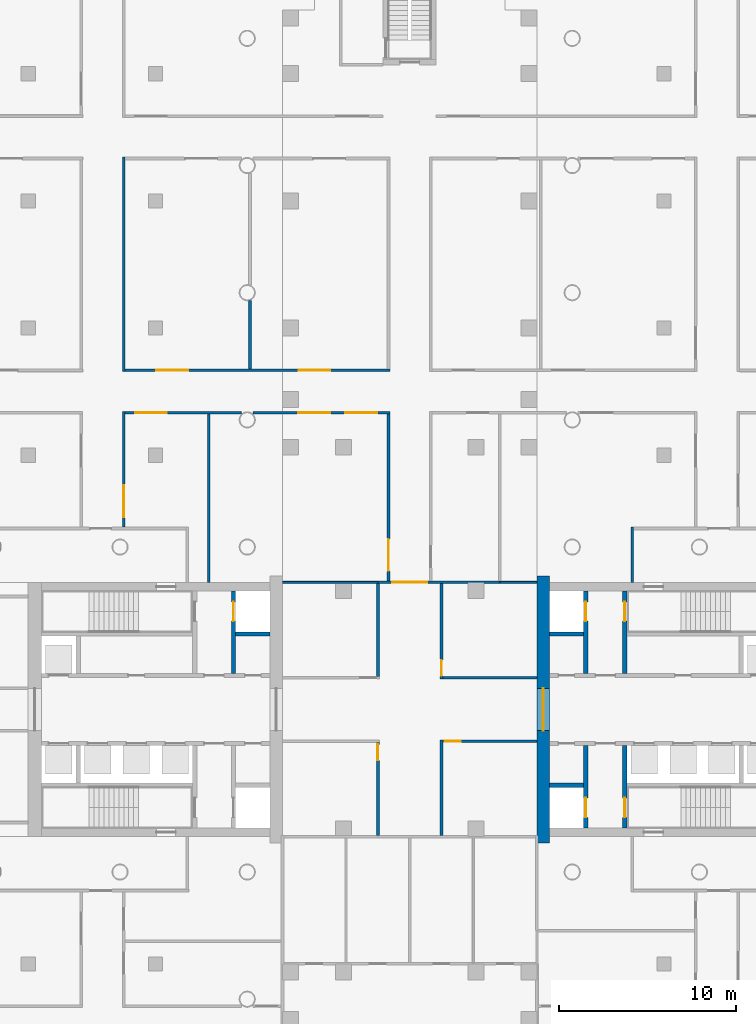
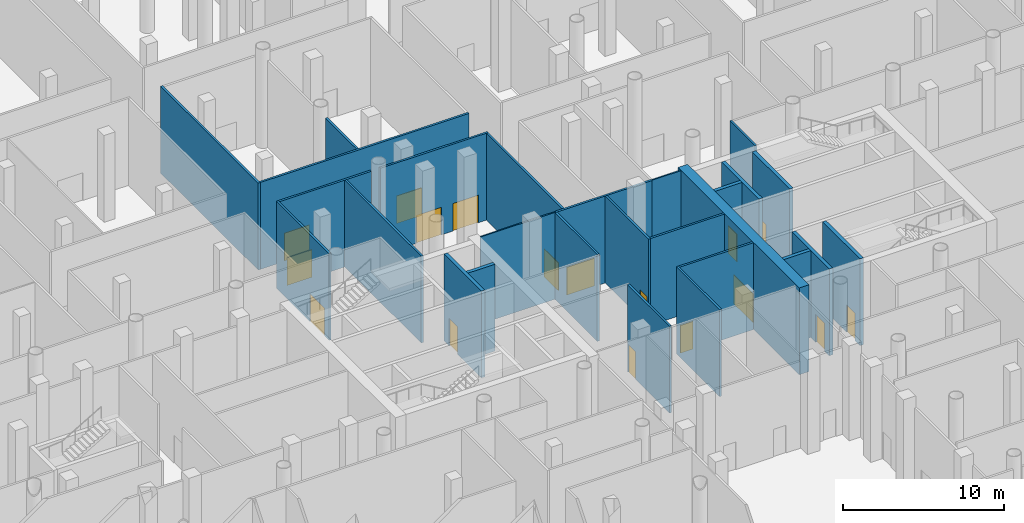
# One storey, part 24 of 44: 27 walls, 17 doors, 17 openings.
"""IFC4 building model written with IfcOpenShell, lengths in metres."""

from ifc_helpers import new_model, si_unit, direction, frame, frame_2d, origin, place, context, subcontext, project, spatial, rectangle, extrude, material, layer, layer_set, type_object, element, fill, save


model = new_model("IFC4")

# Units and contexts
model_context = context("Model", 3, precision=1e-05, world=origin(), true_north=direction((0.0, 1.0)))
body_context = subcontext(model_context, "Body", "Model", "MODEL_VIEW")
ifc_project = project(units=[si_unit("LENGTHUNIT", "METRE"), si_unit("AREAUNIT", "SQUARE_METRE"), si_unit("VOLUMEUNIT", "CUBIC_METRE"), si_unit("PLANEANGLEUNIT", "RADIAN"), si_unit("MASSUNIT", "GRAM", prefix="KILO")], contexts=[model_context])

# Site, building, storey
site_placement = place(None, origin())
site = spatial("IfcSite", under=ifc_project, at=site_placement, CompositionType="ELEMENT")
building_placement = place(site_placement, origin())
building = spatial("IfcBuilding", under=site, at=building_placement, Name="Fustian Cross Tower", CompositionType="ELEMENT")
storey_placement = place(building_placement, origin())
storey = spatial("IfcBuildingStorey", under=building, at=storey_placement, Name="L00", CompositionType="ELEMENT", Elevation=0.0)

# Wall, opening, door
ifc_material_1 = material(Name="Plasterboard on steel stud", Category="steel")
ifc_layer_1 = layer(ifc_material_1, 0.14990234375)
ifc_layer_set_1 = layer_set([ifc_layer_1], Name="Plasterboard on steel stud")
wall_type_1 = type_object("IfcWallType", Name="COMPARTMENT WALL 150 EI 60", PredefinedType="PARTITIONING", material=ifc_layer_set_1)
wall_1_placement = place(storey_placement, frame((-16.199951171875, 10.324951171875, 0.0), z_axis=(0.0, 0.0, 1.0), x_axis=(0.0, 1.0, 0.0)))
wall_1 = element("IfcWall", 1, at=wall_1_placement, inside=storey, type_object=wall_type_1, Name="Partition 52", PredefinedType="PARTITIONING", context=body_context, shape_type="SweptSolid", body=[
    extrude(rectangle(XDim=6.550048828125, YDim=0.14990234375, at=frame_2d((3.27490234375, 0.0))), origin(), (0.0, 0.0, 1.0), 6.60009765625),
])
opening_1_placement = place(wall_1_placement, frame((0.574951171875, 0.0, 0.0)))
opening_1 = element("IfcOpeningElement", 2, at=opening_1_placement, cuts=wall_1, Name="Opening D02064", PredefinedType="OPENING", context=body_context, shape_type="SweptSolid", body=[
    extrude(rectangle(XDim=1.800048828125, YDim=2.10009765625, at=frame_2d((0.89990234375, 1.050048828125))), frame((0.0, 0.0849609375, 0.0), z_axis=(0.0, -1.0, 0.0), x_axis=(1.0, 0.0, 0.0)), (0.0, 0.0, 1.0), 0.169921875),
])
ifc_material_2 = material(Name="Timber fire door set", Category="wood")
door_type_1 = type_object("IfcDoorType", Name="FIRE DOUBLE DOOR 1800 FD30S", OperationType="DOUBLE_DOOR_DOUBLE_SWING", PredefinedType="DOOR", material=ifc_material_2)
door_1_placement = place(opening_1_placement, frame((1.800048828125, 0.0, 0.0), z_axis=(0.0, 0.0, 1.0), x_axis=(-1.0, 0.0, 0.0)))
door_1 = element("IfcDoor", 3, at=door_1_placement, inside=storey, type_object=door_type_1, Name="Door D02064", OperationType="DOUBLE_DOOR_DOUBLE_SWING", OverallHeight=2.10009765625, OverallWidth=1.800048828125, PredefinedType="DOOR", context=body_context, shape_type="SweptSolid", body=[
    extrude(rectangle(XDim=1.800048828125, YDim=2.10009765625, at=frame_2d((0.89990234375, 1.050048828125))), frame((0.0, 0.02490234375, 0.0), z_axis=(0.0, -1.0, 0.0), x_axis=(1.0, 0.0, 0.0)), (0.0, 0.0, 1.0), 0.050048828125),
])
fill(opening_1, door_1)

wall_2_placement = place(storey_placement, frame((-16.125, 16.800048828125, 0.0), z_axis=(0.0, 0.0, 1.0), x_axis=(1.0, 0.0, 0.0)))
wall_2 = element("IfcWall", 4, at=wall_2_placement, inside=storey, type_object=wall_type_1, Name="Partition 53", PredefinedType="PARTITIONING", context=body_context, shape_type="SweptSolid", body=[
    extrude(rectangle(XDim=6.603515625, YDim=0.14990234375, at=frame_2d((3.3017578125, 0.0))), origin(), (0.0, 0.0, 1.0), 6.60009765625),
])
opening_2_placement = place(wall_2_placement, frame((0.574951171875, 0.0, 0.0)))
opening_2 = element("IfcOpeningElement", 5, at=opening_2_placement, cuts=wall_2, Name="Opening D02065", PredefinedType="OPENING", context=body_context, shape_type="SweptSolid", body=[
    extrude(rectangle(XDim=1.800048828125, YDim=2.10009765625, at=frame_2d((0.89990234375, 1.050048828125))), frame((0.0, 0.0849609375, 0.0), z_axis=(0.0, -1.0, 0.0), x_axis=(1.0, 0.0, 0.0)), (0.0, 0.0, 1.0), 0.169921875),
])
door_2_placement = place(opening_2_placement, origin())
door_2 = element("IfcDoor", 6, at=door_2_placement, inside=storey, type_object=door_type_1, Name="Door D02065", OperationType="DOUBLE_DOOR_DOUBLE_SWING", OverallHeight=2.10009765625, OverallWidth=1.800048828125, PredefinedType="DOOR", context=body_context, shape_type="SweptSolid", body=[
    extrude(rectangle(XDim=1.800048828125, YDim=2.10009765625, at=frame_2d((0.89990234375, 1.050048828125))), frame((0.0, 0.02490234375, 0.0), z_axis=(0.0, -1.0, 0.0), x_axis=(1.0, 0.0, 0.0)), (0.0, 0.0, 1.0), 0.050048828125),
])
fill(opening_2, door_2)

# Wall, openings, doors
wall_3_placement = place(storey_placement, frame((-8.87841796875, 16.800048828125, 0.0), z_axis=(0.0, 0.0, 1.0), x_axis=(1.0, 0.0, 0.0)))
wall_3 = element("IfcWall", 7, at=wall_3_placement, inside=storey, type_object=wall_type_1, Name="Partition 158", PredefinedType="PARTITIONING", context=body_context, shape_type="SweptSolid", body=[
    extrude(rectangle(XDim=7.75341796875, YDim=0.14990234375, at=frame_2d((3.876708984375, 0.0))), origin(), (0.0, 0.0, 1.0), 6.60009765625),
])
opening_3_placement = place(wall_3_placement, frame((2.578369140625, 0.0, 0.0)))
opening_3 = element("IfcOpeningElement", 8, at=opening_3_placement, cuts=wall_3, Name="Opening D02066", PredefinedType="OPENING", context=body_context, shape_type="SweptSolid", body=[
    extrude(rectangle(XDim=1.800048828125, YDim=2.10009765625, at=frame_2d((0.89990234375, 1.050048828125))), frame((0.0, 0.0849609375, 0.0), z_axis=(0.0, -1.0, 0.0), x_axis=(1.0, 0.0, 0.0)), (0.0, 0.0, 1.0), 0.169921875),
])
opening_4_placement = place(wall_3_placement, frame((5.228515625, 0.0, 0.0)))
opening_4 = element("IfcOpeningElement", 9, at=opening_4_placement, cuts=wall_3, Name="Opening D02067", PredefinedType="OPENING", context=body_context, shape_type="SweptSolid", body=[
    extrude(rectangle(XDim=1.800048828125, YDim=2.10009765625, at=frame_2d((0.89990234375, 1.050048828125))), frame((0.0, 0.0849609375, 0.0), z_axis=(0.0, -1.0, 0.0), x_axis=(1.0, 0.0, 0.0)), (0.0, 0.0, 1.0), 0.169921875),
])
door_3_placement = place(opening_3_placement, origin())
door_3 = element("IfcDoor", 10, at=door_3_placement, inside=storey, type_object=door_type_1, Name="Door D02066", OperationType="DOUBLE_DOOR_DOUBLE_SWING", OverallHeight=2.10009765625, OverallWidth=1.800048828125, PredefinedType="DOOR", context=body_context, shape_type="SweptSolid", body=[
    extrude(rectangle(XDim=1.800048828125, YDim=2.10009765625, at=frame_2d((0.89990234375, 1.050048828125))), frame((0.0, 0.02490234375, 0.0), z_axis=(0.0, -1.0, 0.0), x_axis=(1.0, 0.0, 0.0)), (0.0, 0.0, 1.0), 0.050048828125),
])
fill(opening_3, door_3)
door_4_placement = place(opening_4_placement, origin())
door_4 = element("IfcDoor", 11, at=door_4_placement, inside=storey, type_object=door_type_1, Name="Door D02067", OperationType="DOUBLE_DOOR_DOUBLE_SWING", OverallHeight=2.10009765625, OverallWidth=1.800048828125, PredefinedType="DOOR", context=body_context, shape_type="SweptSolid", body=[
    extrude(rectangle(XDim=1.800048828125, YDim=2.10009765625, at=frame_2d((0.89990234375, 1.050048828125))), frame((0.0, 0.02490234375, 0.0), z_axis=(0.0, -1.0, 0.0), x_axis=(1.0, 0.0, 0.0)), (0.0, 0.0, 1.0), 0.050048828125),
])
fill(opening_4, door_4)

# Wall
wall_4_placement = place(storey_placement, frame((-16.199951171875, 19.125, 0.0), z_axis=(0.0, 0.0, 1.0), x_axis=(0.0, 1.0, 0.0)))
element("IfcWall", 12, at=wall_4_placement, inside=storey, type_object=wall_type_1, Name="Partition 54", PredefinedType="PARTITIONING", context=body_context, shape_type="SweptSolid", body=[
    extrude(rectangle(XDim=12.14990234375, YDim=0.14990234375, at=frame_2d((6.074951171875, 0.0))), origin(), (0.0, 0.0, 1.0), 6.60009765625),
])

# Wall, openings, doors
wall_5_placement = place(storey_placement, frame((-16.125, 19.199951171875, 0.0), z_axis=(0.0, 0.0, 1.0), x_axis=(1.0, 0.0, 0.0)))
wall_5 = element("IfcWall", 13, at=wall_5_placement, inside=storey, type_object=wall_type_1, Name="Partition 55", PredefinedType="PARTITIONING", context=body_context, shape_type="SweptSolid", body=[
    extrude(rectangle(XDim=15.0, YDim=0.14990234375, at=frame_2d((7.5, 0.0))), origin(), (0.0, 0.0, 1.0), 6.60009765625),
])
opening_5_placement = place(wall_5_placement, frame((1.77490234375, 0.0, 0.0)))
opening_5 = element("IfcOpeningElement", 14, at=opening_5_placement, cuts=wall_5, Name="Opening D02072", PredefinedType="OPENING", context=body_context, shape_type="SweptSolid", body=[
    extrude(rectangle(XDim=1.800048828125, YDim=2.10009765625, at=frame_2d((0.89990234375, 1.050048828125))), frame((0.0, 0.0849609375, 0.0), z_axis=(0.0, -1.0, 0.0), x_axis=(1.0, 0.0, 0.0)), (0.0, 0.0, 1.0), 0.169921875),
])
opening_6_placement = place(wall_5_placement, frame((9.830078125, 0.0, 0.0)))
opening_6 = element("IfcOpeningElement", 15, at=opening_6_placement, cuts=wall_5, Name="Opening D02074", PredefinedType="OPENING", context=body_context, shape_type="SweptSolid", body=[
    extrude(rectangle(XDim=1.800048828125, YDim=2.10009765625, at=frame_2d((0.89990234375, 1.050048828125))), frame((0.0, 0.0849609375, 0.0), z_axis=(0.0, -1.0, 0.0), x_axis=(1.0, 0.0, 0.0)), (0.0, 0.0, 1.0), 0.169921875),
])
door_5_placement = place(opening_5_placement, frame((1.800048828125, 0.0, 0.0), z_axis=(0.0, 0.0, 1.0), x_axis=(-1.0, 0.0, 0.0)))
door_5 = element("IfcDoor", 16, at=door_5_placement, inside=storey, type_object=door_type_1, Name="Door D02072", OperationType="DOUBLE_DOOR_DOUBLE_SWING", OverallHeight=2.10009765625, OverallWidth=1.800048828125, PredefinedType="DOOR", context=body_context, shape_type="SweptSolid", body=[
    extrude(rectangle(XDim=1.800048828125, YDim=2.10009765625, at=frame_2d((0.89990234375, 1.050048828125))), frame((0.0, 0.02490234375, 0.0), z_axis=(0.0, -1.0, 0.0), x_axis=(1.0, 0.0, 0.0)), (0.0, 0.0, 1.0), 0.050048828125),
])
fill(opening_5, door_5)
door_6_placement = place(opening_6_placement, frame((1.800048828125, 0.0, 0.0), z_axis=(0.0, 0.0, 1.0), x_axis=(-1.0, 0.0, 0.0)))
door_6 = element("IfcDoor", 17, at=door_6_placement, inside=storey, type_object=door_type_1, Name="Door D02074", OperationType="DOUBLE_DOOR_DOUBLE_SWING", OverallHeight=2.10009765625, OverallWidth=1.800048828125, PredefinedType="DOOR", context=body_context, shape_type="SweptSolid", body=[
    extrude(rectangle(XDim=1.800048828125, YDim=2.10009765625, at=frame_2d((0.89990234375, 1.050048828125))), frame((0.0, 0.02490234375, 0.0), z_axis=(0.0, -1.0, 0.0), x_axis=(1.0, 0.0, 0.0)), (0.0, 0.0, 1.0), 0.050048828125),
])
fill(opening_6, door_6)

# Walls
wall_6_placement = place(storey_placement, frame((-11.3701171875, 7.199951171875, 0.0), z_axis=(0.0, 0.0, 1.0), x_axis=(0.0, 1.0, 0.0)))
element("IfcWall", 18, at=wall_6_placement, inside=storey, type_object=wall_type_1, Name="Partition 61", PredefinedType="PARTITIONING", context=body_context, shape_type="SweptSolid", body=[
    extrude(rectangle(XDim=9.525146484375, YDim=0.14990234375, at=frame_2d((4.7626953125, 0.0))), origin(), (0.0, 0.0, 1.0), 6.60009765625),
])
wall_7_placement = place(storey_placement, frame((-9.044921875, 19.27490234375, 0.0), z_axis=(0.0, 0.0, 1.0), x_axis=(0.0, 1.0, 0.0)))
element("IfcWall", 19, at=wall_7_placement, inside=storey, type_object=wall_type_1, Name="Partition 62", PredefinedType="PARTITIONING", context=body_context, shape_type="SweptSolid", body=[
    extrude(rectangle(XDim=3.875, YDim=0.14990234375, at=frame_2d((1.9375, 0.0))), origin(), (0.0, 0.0, 1.0), 6.60009765625),
])

# Wall, opening, door
wall_8_placement = place(storey_placement, frame((-1.800048828125, -7.125, 0.0), z_axis=(0.0, 0.0, 1.0), x_axis=(0.0, 1.0, 0.0)))
wall_8 = element("IfcWall", 20, at=wall_8_placement, inside=storey, type_object=wall_type_1, Name="Partition 74", PredefinedType="PARTITIONING", context=body_context, shape_type="SweptSolid", body=[
    extrude(rectangle(XDim=5.25, YDim=0.14990234375, at=frame_2d((2.625, 0.0))), origin(), (0.0, 0.0, 1.0), 6.60009765625),
])
opening_7_placement = place(wall_8_placement, frame((4.25, 0.0, 0.0)))
opening_7 = element("IfcOpeningElement", 21, at=opening_7_placement, cuts=wall_8, Name="Opening D02004", PredefinedType="OPENING", context=body_context, shape_type="SweptSolid", body=[
    extrude(rectangle(XDim=0.89990234375, YDim=2.10009765625, at=frame_2d((0.449951171875, 1.050048828125))), frame((0.0, 0.0849609375, 0.0), z_axis=(0.0, -1.0, 0.0), x_axis=(1.0, 0.0, 0.0)), (0.0, 0.0, 1.0), 0.169921875),
])
ifc_material_3 = material(Name="Timber fire door set", Category="wood")
door_type_2 = type_object("IfcDoorType", Name="FIRE SWING DOOR 900 FD30S", OperationType="SINGLE_SWING_LEFT", PredefinedType="DOOR", material=ifc_material_3)
door_7_placement = place(opening_7_placement, frame((0.89990234375, 0.0, 0.0), z_axis=(0.0, 0.0, 1.0), x_axis=(-1.0, 0.0, 0.0)))
door_7 = element("IfcDoor", 22, at=door_7_placement, inside=storey, type_object=door_type_2, Name="Door D02004", OperationType="SINGLE_SWING_RIGHT", OverallHeight=2.10009765625, OverallWidth=0.89990234375, PredefinedType="DOOR", context=body_context, shape_type="SweptSolid", body=[
    extrude(rectangle(XDim=0.89990234375, YDim=2.10009765625, at=frame_2d((0.449951171875, 1.050048828125))), frame((0.0, 0.02490234375, 0.0), z_axis=(0.0, -1.0, 0.0), x_axis=(1.0, 0.0, 0.0)), (0.0, 0.0, 1.0), 0.050048828125),
])
fill(opening_7, door_7)

# Wall
wall_9_placement = place(storey_placement, frame((-1.800048828125, 1.875, 0.0), z_axis=(0.0, 0.0, 1.0), x_axis=(0.0, 1.0, 0.0)))
element("IfcWall", 23, at=wall_9_placement, inside=storey, type_object=wall_type_1, Name="Partition 76", PredefinedType="PARTITIONING", context=body_context, shape_type="SweptSolid", body=[
    extrude(rectangle(XDim=5.25, YDim=0.14990234375, at=frame_2d((2.625, 0.0))), origin(), (0.0, 0.0, 1.0), 6.60009765625),
])

# Wall, opening, door
wall_10_placement = place(storey_placement, frame((-1.800048828125, 7.199951171875, 0.0), z_axis=(0.0, 0.0, 1.0), x_axis=(1.0, 0.0, 0.0)))
wall_10 = element("IfcWall", 24, at=wall_10_placement, inside=storey, type_object=wall_type_1, Name="Partition 77", PredefinedType="PARTITIONING", context=body_context, shape_type="SweptSolid", body=[
    extrude(rectangle(XDim=6.900146484375, YDim=0.14990234375, at=frame_2d((3.4501953125, 0.0))), origin(), (0.0, 0.0, 1.0), 6.60009765625),
])
opening_8_placement = place(wall_10_placement, frame((0.800048828125, 0.0, 0.0)))
opening_8 = element("IfcOpeningElement", 25, at=opening_8_placement, cuts=wall_10, Name="Opening D02001", PredefinedType="OPENING", context=body_context, shape_type="SweptSolid", body=[
    extrude(rectangle(XDim=2.0, YDim=2.10009765625, at=frame_2d((1.0, 1.050048828125))), frame((0.0, 0.0849609375, 0.0), z_axis=(0.0, -1.0, 0.0), x_axis=(1.0, 0.0, 0.0)), (0.0, 0.0, 1.0), 0.169921875),
])
ifc_material_4 = material(Name="Timber fire door set", Category="wood")
door_type_3 = type_object("IfcDoorType", Name="FIRE DOUBLE DOOR 2000 FD30S", OperationType="DOUBLE_DOOR_DOUBLE_SWING", PredefinedType="DOOR", material=ifc_material_4)
door_8_placement = place(opening_8_placement, origin())
door_8 = element("IfcDoor", 26, at=door_8_placement, inside=storey, type_object=door_type_3, Name="Door D02001", OperationType="DOUBLE_DOOR_DOUBLE_SWING", OverallHeight=2.10009765625, OverallWidth=2.0, PredefinedType="DOOR", context=body_context, shape_type="SweptSolid", body=[
    extrude(rectangle(XDim=2.0, YDim=2.10009765625, at=frame_2d((1.0, 1.050048828125))), frame((0.0, 0.02490234375, 0.0), z_axis=(0.0, -1.0, 0.0), x_axis=(1.0, 0.0, 0.0)), (0.0, 0.0, 1.0), 0.050048828125),
])
fill(opening_8, door_8)

wall_11_placement = place(storey_placement, frame((-1.199951171875, 7.27490234375, 0.0), z_axis=(0.0, 0.0, 1.0), x_axis=(0.0, 1.0, 0.0)))
wall_11 = element("IfcWall", 27, at=wall_11_placement, inside=storey, type_object=wall_type_1, Name="Partition 80", PredefinedType="PARTITIONING", context=body_context, shape_type="SweptSolid", body=[
    extrude(rectangle(XDim=9.4501953125, YDim=0.14990234375, at=frame_2d((4.72509765625, 0.0))), origin(), (0.0, 0.0, 1.0), 6.60009765625),
])
opening_9_placement = place(wall_11_placement, frame((0.574951171875, 0.0, 0.0)))
opening_9 = element("IfcOpeningElement", 28, at=opening_9_placement, cuts=wall_11, Name="Opening D02068", PredefinedType="OPENING", context=body_context, shape_type="SweptSolid", body=[
    extrude(rectangle(XDim=1.800048828125, YDim=2.10009765625, at=frame_2d((0.89990234375, 1.050048828125))), frame((0.0, 0.0849609375, 0.0), z_axis=(0.0, -1.0, 0.0), x_axis=(1.0, 0.0, 0.0)), (0.0, 0.0, 1.0), 0.169921875),
])
door_9_placement = place(opening_9_placement, origin())
door_9 = element("IfcDoor", 29, at=door_9_placement, inside=storey, type_object=door_type_1, Name="Door D02068", OperationType="DOUBLE_DOOR_DOUBLE_SWING", OverallHeight=2.10009765625, OverallWidth=1.800048828125, PredefinedType="DOOR", context=body_context, shape_type="SweptSolid", body=[
    extrude(rectangle(XDim=1.800048828125, YDim=2.10009765625, at=frame_2d((0.89990234375, 1.050048828125))), frame((0.0, 0.02490234375, 0.0), z_axis=(0.0, -1.0, 0.0), x_axis=(1.0, 0.0, 0.0)), (0.0, 0.0, 1.0), 0.050048828125),
])
fill(opening_9, door_9)

# Wall
wall_12_placement = place(storey_placement, frame((1.800048828125, -7.125, 0.0), z_axis=(0.0, 0.0, 1.0), x_axis=(0.0, 1.0, 0.0)))
element("IfcWall", 30, at=wall_12_placement, inside=storey, type_object=wall_type_1, Name="Partition 90", PredefinedType="PARTITIONING", context=body_context, shape_type="SweptSolid", body=[
    extrude(rectangle(XDim=5.39990234375, YDim=0.14990234375, at=frame_2d((2.699951171875, 0.0))), origin(), (0.0, 0.0, 1.0), 6.60009765625),
])

# Wall, opening, door
wall_13_placement = place(storey_placement, frame((1.875, -1.800048828125, 0.0), z_axis=(0.0, 0.0, 1.0), x_axis=(1.0, 0.0, 0.0)))
wall_13 = element("IfcWall", 31, at=wall_13_placement, inside=storey, type_object=wall_type_1, Name="Partition 91", PredefinedType="PARTITIONING", context=body_context, shape_type="SweptSolid", body=[
    extrude(rectangle(XDim=5.324951171875, YDim=0.14990234375, at=frame_2d((2.66259765625, 0.0))), origin(), (0.0, 0.0, 1.0), 6.60009765625),
])
opening_10_placement = place(wall_13_placement, frame((0.10009765625, 0.0, 0.0)))
opening_10 = element("IfcOpeningElement", 32, at=opening_10_placement, cuts=wall_13, Name="Opening D02005", PredefinedType="OPENING", context=body_context, shape_type="SweptSolid", body=[
    extrude(rectangle(XDim=0.89990234375, YDim=2.10009765625, at=frame_2d((0.449951171875, 1.050048828125))), frame((0.0, 0.0849609375, 0.0), z_axis=(0.0, -1.0, 0.0), x_axis=(1.0, 0.0, 0.0)), (0.0, 0.0, 1.0), 0.169921875),
])
door_10_placement = place(opening_10_placement, origin())
door_10 = element("IfcDoor", 33, at=door_10_placement, inside=storey, type_object=door_type_2, Name="Door D02005", OperationType="SINGLE_SWING_RIGHT", OverallHeight=2.10009765625, OverallWidth=0.89990234375, PredefinedType="DOOR", context=body_context, shape_type="SweptSolid", body=[
    extrude(rectangle(XDim=0.89990234375, YDim=2.10009765625, at=frame_2d((0.449951171875, 1.050048828125))), frame((0.0, 0.02490234375, 0.0), z_axis=(0.0, -1.0, 0.0), x_axis=(1.0, 0.0, 0.0)), (0.0, 0.0, 1.0), 0.050048828125),
])
fill(opening_10, door_10)

wall_14_placement = place(storey_placement, frame((1.800048828125, 1.72509765625, 0.0), z_axis=(0.0, 0.0, 1.0), x_axis=(0.0, 1.0, 0.0)))
wall_14 = element("IfcWall", 34, at=wall_14_placement, inside=storey, type_object=wall_type_1, Name="Partition 92", PredefinedType="PARTITIONING", context=body_context, shape_type="SweptSolid", body=[
    extrude(rectangle(XDim=5.39990234375, YDim=0.14990234375, at=frame_2d((2.699951171875, 0.0))), origin(), (0.0, 0.0, 1.0), 6.60009765625),
])
opening_11_placement = place(wall_14_placement, frame((0.175048828125, 0.0, 0.0)))
opening_11 = element("IfcOpeningElement", 35, at=opening_11_placement, cuts=wall_14, Name="Opening D02002", PredefinedType="OPENING", context=body_context, shape_type="SweptSolid", body=[
    extrude(rectangle(XDim=0.89990234375, YDim=2.10009765625, at=frame_2d((0.449951171875, 1.050048828125))), frame((0.0, 0.0849609375, 0.0), z_axis=(0.0, -1.0, 0.0), x_axis=(1.0, 0.0, 0.0)), (0.0, 0.0, 1.0), 0.169921875),
])
door_11_placement = place(opening_11_placement, origin())
door_11 = element("IfcDoor", 36, at=door_11_placement, inside=storey, type_object=door_type_2, Name="Door D02002", OperationType="SINGLE_SWING_RIGHT", OverallHeight=2.10009765625, OverallWidth=0.89990234375, PredefinedType="DOOR", context=body_context, shape_type="SweptSolid", body=[
    extrude(rectangle(XDim=0.89990234375, YDim=2.10009765625, at=frame_2d((0.449951171875, 1.050048828125))), frame((0.0, 0.02490234375, 0.0), z_axis=(0.0, -1.0, 0.0), x_axis=(1.0, 0.0, 0.0)), (0.0, 0.0, 1.0), 0.050048828125),
])
fill(opening_11, door_11)

# Walls
wall_15_placement = place(storey_placement, frame((1.875, 1.800048828125, 0.0), z_axis=(0.0, 0.0, 1.0), x_axis=(1.0, 0.0, 0.0)))
element("IfcWall", 37, at=wall_15_placement, inside=storey, type_object=wall_type_1, Name="Partition 93", PredefinedType="PARTITIONING", context=body_context, shape_type="SweptSolid", body=[
    extrude(rectangle(XDim=5.324951171875, YDim=0.14990234375, at=frame_2d((2.66259765625, 0.0))), origin(), (0.0, 0.0, 1.0), 6.60009765625),
])
wall_16_placement = place(storey_placement, frame((12.60009765625, 7.199951171875, 0.0), z_axis=(0.0, 0.0, 1.0), x_axis=(0.0, 1.0, 0.0)))
element("IfcWall", 38, at=wall_16_placement, inside=storey, type_object=wall_type_1, Name="Partition 107", PredefinedType="PARTITIONING", context=body_context, shape_type="SweptSolid", body=[
    extrude(rectangle(XDim=3.125, YDim=0.14990234375, at=frame_2d((1.5625, 0.0))), origin(), (0.0, 0.0, 1.0), 6.60009765625),
])

# Wall, opening, door
ifc_material_5 = material(Name="Concrete C80/95", Category="concrete")
ifc_layer_2 = layer(ifc_material_5, 0.699951171875)
ifc_layer_set_2 = layer_set([ifc_layer_2], Name="Concrete C80/95")
wall_type_2 = type_object("IfcWallType", Name="CORE END WALL 700 C80/95", PredefinedType="SHEAR", material=ifc_layer_set_2)
wall_17_placement = place(storey_placement, frame((7.550048828125, -7.548095703125, 0.0), z_axis=(0.0, 0.0, 1.0), x_axis=(0.0, 1.0, 0.0)))
wall_17 = element("IfcWall", 39, at=wall_17_placement, inside=storey, type_object=wall_type_2, Name="Core end wall", PredefinedType="SHEAR", context=body_context, shape_type="SweptSolid", body=[
    extrude(rectangle(XDim=15.09619140625, YDim=0.699951171875, at=frame_2d((7.548095703125, 0.0))), origin(), (0.0, 0.0, 1.0), 6.60009765625),
])
opening_12_placement = place(wall_17_placement, frame((6.347900390625, 0.0, 0.0)))
opening_12 = element("IfcOpeningElement", 40, at=opening_12_placement, cuts=wall_17, Name="Opening CD-02-14", PredefinedType="OPENING", context=body_context, shape_type="SweptSolid", body=[
    extrude(rectangle(XDim=2.39990234375, YDim=2.199951171875, at=frame_2d((1.199951171875, 1.10009765625))), frame((0.0, 0.35986328125, 0.0), z_axis=(0.0, -1.0, 0.0), x_axis=(1.0, 0.0, 0.0)), (0.0, 0.0, 1.0), 0.719970703125),
])
ifc_material_6 = material(Name="Steel", Category="steel")
door_type_4 = type_object("IfcDoorType", Name="FIRE DOOR FD30S DOUBLE 2400X2200", OperationType="DOUBLE_DOOR_DOUBLE_SWING", PredefinedType="DOOR", material=ifc_material_6)
door_12_placement = place(opening_12_placement, origin())
door_12 = element("IfcDoor", 41, at=door_12_placement, inside=storey, type_object=door_type_4, Name="Core door CD-02-14", OperationType="DOUBLE_DOOR_DOUBLE_SWING", OverallHeight=2.199951171875, OverallWidth=2.39990234375, PredefinedType="DOOR", context=body_context, shape_type="SweptSolid", body=[
    extrude(rectangle(XDim=2.39990234375, YDim=2.199951171875, at=frame_2d((1.199951171875, 1.10009765625))), frame((0.0, 0.02490234375, 0.0), z_axis=(0.0, -1.0, 0.0), x_axis=(1.0, 0.0, 0.0)), (0.0, 0.0, 1.0), 0.050048828125),
])
fill(opening_12, door_12)

# Wall
ifc_material_7 = material(Name="Concrete C50/60", Category="concrete")
ifc_layer_3 = layer(ifc_material_7, 0.25)
ifc_layer_set_3 = layer_set([ifc_layer_3], Name="Concrete C50/60")
wall_type_3 = type_object("IfcWallType", Name="CORE SHAFT WALL 250 C50/60", PredefinedType="SHEAR", material=ifc_layer_set_3)
wall_18_placement = place(storey_placement, frame((7.89990234375, 4.27490234375, 0.0), z_axis=(0.0, 0.0, 1.0), x_axis=(1.0, 0.0, 0.0)))
element("IfcWall", 42, at=wall_18_placement, inside=storey, type_object=wall_type_3, Name="Core shaft wall", PredefinedType="SHEAR", context=body_context, shape_type="SweptSolid", body=[
    extrude(rectangle(XDim=1.9501953125, YDim=0.25, at=frame_2d((0.97509765625, 0.0))), origin(), (0.0, 0.0, 1.0), 6.60009765625),
])

# Wall, opening, door
wall_19_placement = place(storey_placement, frame((9.97509765625, 2.050048828125, 0.0), z_axis=(0.0, 0.0, 1.0), x_axis=(0.0, 1.0, 0.0)))
wall_19 = element("IfcWall", 43, at=wall_19_placement, inside=storey, type_object=wall_type_3, Name="Core shaft wall", PredefinedType="SHEAR", context=body_context, shape_type="SweptSolid", body=[
    extrude(rectangle(XDim=4.64990234375, YDim=0.25, at=frame_2d((2.324951171875, 0.0))), origin(), (0.0, 0.0, 1.0), 6.60009765625),
])
opening_13_placement = place(wall_19_placement, frame((2.949951171875, 0.0, 0.0)))
opening_13 = element("IfcOpeningElement", 44, at=opening_13_placement, cuts=wall_19, Name="Opening LD", PredefinedType="OPENING", context=body_context, shape_type="SweptSolid", body=[
    extrude(rectangle(XDim=1.10009765625, YDim=2.10009765625, at=frame_2d((0.550048828125, 1.050048828125))), frame((0.0, 0.135009765625, 0.0), z_axis=(0.0, -1.0, 0.0), x_axis=(1.0, 0.0, 0.0)), (0.0, 0.0, 1.0), 0.27001953125),
])
ifc_material_8 = material(Name="Stainless steel", Category="steel")
door_type_5 = type_object("IfcDoorType", Name="LIFT LANDING DOOR 1100X2100", OperationType="SLIDING_TO_LEFT", PredefinedType="DOOR", material=ifc_material_8)
door_13_placement = place(opening_13_placement, origin())
door_13 = element("IfcDoor", 45, at=door_13_placement, inside=storey, type_object=door_type_5, Name="Landing door FL1", OperationType="SLIDING_TO_LEFT", OverallHeight=2.10009765625, OverallWidth=1.10009765625, PredefinedType="DOOR", context=body_context, shape_type="SweptSolid", body=[
    extrude(rectangle(XDim=1.10009765625, YDim=2.10009765625, at=frame_2d((0.550048828125, 1.050048828125))), frame((0.0, 0.02490234375, 0.0), z_axis=(0.0, -1.0, 0.0), x_axis=(1.0, 0.0, 0.0)), (0.0, 0.0, 1.0), 0.050048828125),
])
fill(opening_13, door_13)

wall_20_placement = place(storey_placement, frame((12.175048828125, 2.050048828125, 0.0), z_axis=(0.0, 0.0, 1.0), x_axis=(0.0, 1.0, 0.0)))
wall_20 = element("IfcWall", 46, at=wall_20_placement, inside=storey, type_object=wall_type_3, Name="Core shaft wall", PredefinedType="SHEAR", context=body_context, shape_type="SweptSolid", body=[
    extrude(rectangle(XDim=4.64990234375, YDim=0.25, at=frame_2d((2.324951171875, 0.0))), origin(), (0.0, 0.0, 1.0), 6.60009765625),
])
opening_14_placement = place(wall_20_placement, frame((2.949951171875, 0.0, 0.0)))
opening_14 = element("IfcOpeningElement", 47, at=opening_14_placement, cuts=wall_20, Name="Opening CD-02-08", PredefinedType="OPENING", context=body_context, shape_type="SweptSolid", body=[
    extrude(rectangle(XDim=1.10009765625, YDim=2.10009765625, at=frame_2d((0.550048828125, 1.050048828125))), frame((0.0, 0.135009765625, 0.0), z_axis=(0.0, -1.0, 0.0), x_axis=(1.0, 0.0, 0.0)), (0.0, 0.0, 1.0), 0.27001953125),
])
ifc_material_9 = material(Name="Steel", Category="steel")
door_type_6 = type_object("IfcDoorType", Name="FIRE DOOR FD60S 1100X2100", OperationType="SINGLE_SWING_LEFT", PredefinedType="DOOR", material=ifc_material_9)
door_14_placement = place(opening_14_placement, frame((1.10009765625, 0.0, 0.0), z_axis=(0.0, 0.0, 1.0), x_axis=(-1.0, 0.0, 0.0)))
door_14 = element("IfcDoor", 48, at=door_14_placement, inside=storey, type_object=door_type_6, Name="Core door CD-02-08", OperationType="SINGLE_SWING_RIGHT", OverallHeight=2.10009765625, OverallWidth=1.10009765625, PredefinedType="DOOR", context=body_context, shape_type="SweptSolid", body=[
    extrude(rectangle(XDim=1.10009765625, YDim=2.10009765625, at=frame_2d((0.550048828125, 1.050048828125))), frame((0.0, 0.02490234375, 0.0), z_axis=(0.0, -1.0, 0.0), x_axis=(1.0, 0.0, 0.0)), (0.0, 0.0, 1.0), 0.050048828125),
])
fill(opening_14, door_14)

# Wall
wall_21_placement = place(storey_placement, frame((7.89990234375, -4.27490234375, 0.0), z_axis=(0.0, 0.0, 1.0), x_axis=(1.0, 0.0, 0.0)))
element("IfcWall", 49, at=wall_21_placement, inside=storey, type_object=wall_type_3, Name="Core shaft wall", PredefinedType="SHEAR", context=body_context, shape_type="SweptSolid", body=[
    extrude(rectangle(XDim=1.9501953125, YDim=0.25, at=frame_2d((0.97509765625, 0.0))), origin(), (0.0, 0.0, 1.0), 6.60009765625),
])

# Wall, opening, door
wall_22_placement = place(storey_placement, frame((9.97509765625, -2.050048828125, 0.0), z_axis=(0.0, 0.0, 1.0), x_axis=(0.0, -1.0, 0.0)))
wall_22 = element("IfcWall", 50, at=wall_22_placement, inside=storey, type_object=wall_type_3, Name="Core shaft wall", PredefinedType="SHEAR", context=body_context, shape_type="SweptSolid", body=[
    extrude(rectangle(XDim=4.64990234375, YDim=0.25, at=frame_2d((2.324951171875, 0.0))), origin(), (0.0, 0.0, 1.0), 6.60009765625),
])
opening_15_placement = place(wall_22_placement, frame((2.949951171875, 0.0, 0.0)))
opening_15 = element("IfcOpeningElement", 51, at=opening_15_placement, cuts=wall_22, Name="Opening LD", PredefinedType="OPENING", context=body_context, shape_type="SweptSolid", body=[
    extrude(rectangle(XDim=1.10009765625, YDim=2.10009765625, at=frame_2d((0.550048828125, 1.050048828125))), frame((0.0, 0.135009765625, 0.0), z_axis=(0.0, -1.0, 0.0), x_axis=(1.0, 0.0, 0.0)), (0.0, 0.0, 1.0), 0.27001953125),
])
door_15_placement = place(opening_15_placement, origin())
door_15 = element("IfcDoor", 52, at=door_15_placement, inside=storey, type_object=door_type_5, Name="Landing door SV1", OperationType="SLIDING_TO_LEFT", OverallHeight=2.10009765625, OverallWidth=1.10009765625, PredefinedType="DOOR", context=body_context, shape_type="SweptSolid", body=[
    extrude(rectangle(XDim=1.10009765625, YDim=2.10009765625, at=frame_2d((0.550048828125, 1.050048828125))), frame((0.0, 0.02490234375, 0.0), z_axis=(0.0, -1.0, 0.0), x_axis=(1.0, 0.0, 0.0)), (0.0, 0.0, 1.0), 0.050048828125),
])
fill(opening_15, door_15)

wall_23_placement = place(storey_placement, frame((12.175048828125, -2.050048828125, 0.0), z_axis=(0.0, 0.0, 1.0), x_axis=(0.0, -1.0, 0.0)))
wall_23 = element("IfcWall", 53, at=wall_23_placement, inside=storey, type_object=wall_type_3, Name="Core shaft wall", PredefinedType="SHEAR", context=body_context, shape_type="SweptSolid", body=[
    extrude(rectangle(XDim=4.64990234375, YDim=0.25, at=frame_2d((2.324951171875, 0.0))), origin(), (0.0, 0.0, 1.0), 6.60009765625),
])
opening_16_placement = place(wall_23_placement, frame((2.949951171875, 0.0, 0.0)))
opening_16 = element("IfcOpeningElement", 54, at=opening_16_placement, cuts=wall_23, Name="Opening CD-02-09", PredefinedType="OPENING", context=body_context, shape_type="SweptSolid", body=[
    extrude(rectangle(XDim=1.10009765625, YDim=2.10009765625, at=frame_2d((0.550048828125, 1.050048828125))), frame((0.0, 0.135009765625, 0.0), z_axis=(0.0, -1.0, 0.0), x_axis=(1.0, 0.0, 0.0)), (0.0, 0.0, 1.0), 0.27001953125),
])
door_16_placement = place(opening_16_placement, origin())
door_16 = element("IfcDoor", 55, at=door_16_placement, inside=storey, type_object=door_type_6, Name="Core door CD-02-09", OperationType="SINGLE_SWING_LEFT", OverallHeight=2.10009765625, OverallWidth=1.10009765625, PredefinedType="DOOR", context=body_context, shape_type="SweptSolid", body=[
    extrude(rectangle(XDim=1.10009765625, YDim=2.10009765625, at=frame_2d((0.550048828125, 1.050048828125))), frame((0.0, 0.02490234375, 0.0), z_axis=(0.0, -1.0, 0.0), x_axis=(1.0, 0.0, 0.0)), (0.0, 0.0, 1.0), 0.050048828125),
])
fill(opening_16, door_16)

# Wall
wall_24_placement = place(storey_placement, frame((-7.89990234375, 4.27490234375, 0.0), z_axis=(0.0, 0.0, 1.0), x_axis=(-1.0, 0.0, 0.0)))
element("IfcWall", 56, at=wall_24_placement, inside=storey, type_object=wall_type_3, Name="Core shaft wall", PredefinedType="SHEAR", context=body_context, shape_type="SweptSolid", body=[
    extrude(rectangle(XDim=1.9501953125, YDim=0.25, at=frame_2d((0.97509765625, 0.0))), origin(), (0.0, 0.0, 1.0), 6.60009765625),
])

# Wall, opening, door
wall_25_placement = place(storey_placement, frame((-9.97509765625, 2.050048828125, 0.0), z_axis=(0.0, 0.0, 1.0), x_axis=(0.0, 1.0, 0.0)))
wall_25 = element("IfcWall", 57, at=wall_25_placement, inside=storey, type_object=wall_type_3, Name="Core shaft wall", PredefinedType="SHEAR", context=body_context, shape_type="SweptSolid", body=[
    extrude(rectangle(XDim=4.64990234375, YDim=0.25, at=frame_2d((2.324951171875, 0.0))), origin(), (0.0, 0.0, 1.0), 6.60009765625),
])
opening_17_placement = place(wall_25_placement, frame((2.949951171875, 0.0, 0.0)))
opening_17 = element("IfcOpeningElement", 58, at=opening_17_placement, cuts=wall_25, Name="Opening LD", PredefinedType="OPENING", context=body_context, shape_type="SweptSolid", body=[
    extrude(rectangle(XDim=1.10009765625, YDim=2.10009765625, at=frame_2d((0.550048828125, 1.050048828125))), frame((0.0, 0.135009765625, 0.0), z_axis=(0.0, -1.0, 0.0), x_axis=(1.0, 0.0, 0.0)), (0.0, 0.0, 1.0), 0.27001953125),
])
door_17_placement = place(opening_17_placement, origin())
door_17 = element("IfcDoor", 59, at=door_17_placement, inside=storey, type_object=door_type_5, Name="Landing door FL1W", OperationType="SLIDING_TO_LEFT", OverallHeight=2.10009765625, OverallWidth=1.10009765625, PredefinedType="DOOR", context=body_context, shape_type="SweptSolid", body=[
    extrude(rectangle(XDim=1.10009765625, YDim=2.10009765625, at=frame_2d((0.550048828125, 1.050048828125))), frame((0.0, 0.02490234375, 0.0), z_axis=(0.0, -1.0, 0.0), x_axis=(1.0, 0.0, 0.0)), (0.0, 0.0, 1.0), 0.050048828125),
])
fill(opening_17, door_17)

# Walls
ifc_material_10 = material(Name="Plasterboard on steel stud", Category="steel")
ifc_layer_4 = layer(ifc_material_10, 0.10009765625)
ifc_layer_set_4 = layer_set([ifc_layer_4], Name="Plasterboard on steel stud")
wall_type_4 = type_object("IfcWallType", Name="PARTITION 100 STUD", PredefinedType="PARTITIONING", material=ifc_layer_set_4)
wall_26_placement = place(storey_placement, frame((-7.199951171875, 7.199951171875, 0.0), z_axis=(0.0, 0.0, 1.0), x_axis=(1.0, 0.0, 0.0)))
element("IfcWall", 60, at=wall_26_placement, inside=storey, type_object=wall_type_4, Name="Partition 68", PredefinedType="PARTITIONING", context=body_context, shape_type="SweptSolid", body=[
    extrude(rectangle(XDim=5.39990234375, YDim=0.10009765625, at=frame_2d((2.699951171875, 0.0))), origin(), (0.0, 0.0, 1.0), 6.60009765625),
])
wall_27_placement = place(storey_placement, frame((5.10009765625, 7.199951171875, 0.0), z_axis=(0.0, 0.0, 1.0), x_axis=(1.0, 0.0, 0.0)))
element("IfcWall", 61, at=wall_27_placement, inside=storey, type_object=wall_type_4, Name="Partition 96", PredefinedType="PARTITIONING", context=body_context, shape_type="SweptSolid", body=[
    extrude(rectangle(XDim=2.099853515625, YDim=0.10009765625, at=frame_2d((1.0498046875, 0.0))), origin(), (0.0, 0.0, 1.0), 6.60009765625),
])

save(model, "model.ifc")
